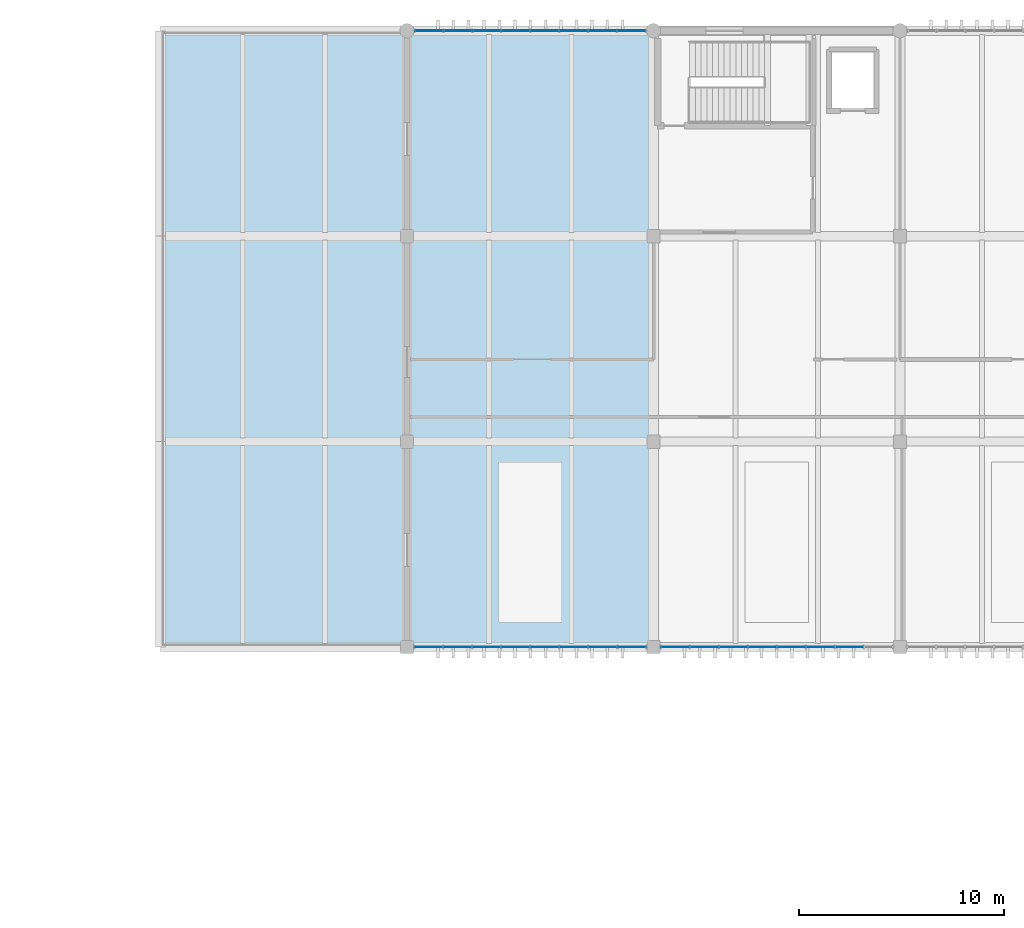
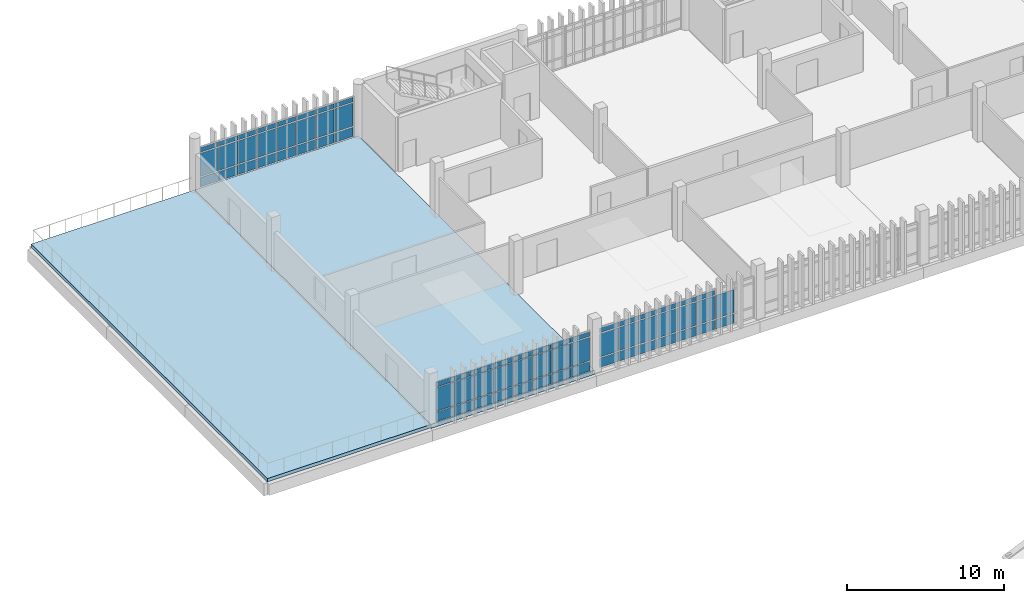
# One storey, part 67 of 82: 68 plates, 2 slabs, 3 elements without a shape of their own.
"""IFC4 building model written with IfcOpenShell, lengths in metres."""

from ifc_helpers import new_model, si_unit, direction, frame, origin, origin_2d, place, context, subcontext, project, spatial, polyline, rectangle, outline, extrude, material, layer, layer_set, type_object, element, aggregate, save


model = new_model("IFC4")

# Units and contexts
model_context = context("Model", 3, precision=1e-05, world=origin(), true_north=direction((0.0, 1.0)))
body_context = subcontext(model_context, "Body", "Model", "MODEL_VIEW")
ifc_project = project(units=[si_unit("LENGTHUNIT", "METRE"), si_unit("AREAUNIT", "SQUARE_METRE"), si_unit("VOLUMEUNIT", "CUBIC_METRE"), si_unit("PLANEANGLEUNIT", "RADIAN"), si_unit("MASSUNIT", "GRAM", prefix="KILO")], contexts=[model_context])

# Site, building, storey
site_placement = place(None, origin())
site = spatial("IfcSite", under=ifc_project, at=site_placement, CompositionType="ELEMENT")
building_placement = place(site_placement, origin())
building = spatial("IfcBuilding", under=site, at=building_placement, Name="Mersad Railyard Sports Hall", CompositionType="ELEMENT")
storey_placement = place(building_placement, frame((0.0, 0.0, 13.199951171875)))
storey = spatial("IfcBuildingStorey", under=building, at=storey_placement, Name="L03", CompositionType="ELEMENT", Elevation=13.199951171875)

# Curtain wall, plates
ifc_material_1 = material(Name="Aluminium 6063-T6", Category="aluminium")
ifc_layer_1 = layer(ifc_material_1, 0.159912109375)
ifc_layer_set_1 = layer_set([ifc_layer_1], Name="Aluminium 6063-T6")
curtain_wall_type_1 = type_object("IfcCurtainWallType", Name="ARC-CW-CW57", PredefinedType="USERDEFINED", material=ifc_layer_set_1)
curtain_wall_1_placement = place(storey_placement, origin())
curtain_wall_1 = element("IfcCurtainWall", 1, at=curtain_wall_1_placement, inside=storey, type_object=curtain_wall_type_1, Name="Curtain wall CW57-0151", ObjectType="CURTAIN WALL", PredefinedType="USERDEFINED")
ifc_material_2 = material(Name="Solar-control glass", Category="glass")
ifc_layer_2 = layer(ifc_material_2, 0.028076171875)
ifc_layer_set_2 = layer_set([ifc_layer_2], Name="Solar-control glass")
plate_type = type_object("IfcPlateType", Name="ARC-CW-PNL01", PredefinedType="CURTAIN_PANEL", material=ifc_layer_set_2)
plate_1_placement = place(storey_placement, frame((56.07373046875, 115.0, 0.0849609375), z_axis=(0.0, 0.0, 1.0), x_axis=(1.0, 0.0, 0.0)))
plate_1 = element("IfcPlate", 2, at=plate_1_placement, type_object=plate_type, Name="CW57 Glazed panel 1-1", PredefinedType="CURTAIN_PANEL", context=body_context, shape_type="SweptSolid", body=[
    extrude(rectangle(XDim=1.363525390625, YDim=0.028076171875, at=origin_2d()), origin(), (0.0, 0.0, 1.0), 0.719970703125),
])
plate_2_placement = place(storey_placement, frame((56.07373046875, 115.0, 0.89501953125), z_axis=(0.0, 0.0, 1.0), x_axis=(1.0, 0.0, 0.0)))
plate_2 = element("IfcPlate", 3, at=plate_2_placement, type_object=plate_type, Name="CW57 Glazed panel 1-2", PredefinedType="CURTAIN_PANEL", context=body_context, shape_type="SweptSolid", body=[
    extrude(rectangle(XDim=1.363525390625, YDim=0.028076171875, at=origin_2d()), origin(), (0.0, 0.0, 1.0), 1.7900390625),
])
plate_3_placement = place(storey_placement, frame((56.07373046875, 115.0, 2.77490234375), z_axis=(0.0, 0.0, 1.0), x_axis=(1.0, 0.0, 0.0)))
plate_3 = element("IfcPlate", 4, at=plate_3_placement, type_object=plate_type, Name="CW57 Glazed panel 1-3", PredefinedType="CURTAIN_PANEL", context=body_context, shape_type="SweptSolid", body=[
    extrude(rectangle(XDim=1.363525390625, YDim=0.028076171875, at=origin_2d()), origin(), (0.0, 0.0, 1.0), 0.35009765625),
])
plate_4_placement = place(storey_placement, frame((57.481201171875, 115.0, 0.0849609375), z_axis=(0.0, 0.0, 1.0), x_axis=(1.0, 0.0, 0.0)))
plate_4 = element("IfcPlate", 5, at=plate_4_placement, type_object=plate_type, Name="CW57 Glazed panel 2-1", PredefinedType="CURTAIN_PANEL", context=body_context, shape_type="SweptSolid", body=[
    extrude(rectangle(XDim=1.363525390625, YDim=0.028076171875, at=origin_2d()), origin(), (0.0, 0.0, 1.0), 0.719970703125),
])
plate_5_placement = place(storey_placement, frame((57.481201171875, 115.0, 0.89501953125), z_axis=(0.0, 0.0, 1.0), x_axis=(1.0, 0.0, 0.0)))
plate_5 = element("IfcPlate", 6, at=plate_5_placement, type_object=plate_type, Name="CW57 Glazed panel 2-2", PredefinedType="CURTAIN_PANEL", context=body_context, shape_type="SweptSolid", body=[
    extrude(rectangle(XDim=1.363525390625, YDim=0.028076171875, at=origin_2d()), origin(), (0.0, 0.0, 1.0), 1.7900390625),
])
plate_6_placement = place(storey_placement, frame((57.481201171875, 115.0, 2.77490234375), z_axis=(0.0, 0.0, 1.0), x_axis=(1.0, 0.0, 0.0)))
plate_6 = element("IfcPlate", 7, at=plate_6_placement, type_object=plate_type, Name="CW57 Glazed panel 2-3", PredefinedType="CURTAIN_PANEL", context=body_context, shape_type="SweptSolid", body=[
    extrude(rectangle(XDim=1.363525390625, YDim=0.028076171875, at=origin_2d()), origin(), (0.0, 0.0, 1.0), 0.35009765625),
])
plate_7_placement = place(storey_placement, frame((58.888671875, 115.0, 0.0849609375), z_axis=(0.0, 0.0, 1.0), x_axis=(1.0, 0.0, 0.0)))
plate_7 = element("IfcPlate", 8, at=plate_7_placement, type_object=plate_type, Name="CW57 Glazed panel 3-1", PredefinedType="CURTAIN_PANEL", context=body_context, shape_type="SweptSolid", body=[
    extrude(rectangle(XDim=1.363525390625, YDim=0.028076171875, at=origin_2d()), origin(), (0.0, 0.0, 1.0), 0.719970703125),
])
plate_8_placement = place(storey_placement, frame((58.888671875, 115.0, 0.89501953125), z_axis=(0.0, 0.0, 1.0), x_axis=(1.0, 0.0, 0.0)))
plate_8 = element("IfcPlate", 9, at=plate_8_placement, type_object=plate_type, Name="CW57 Glazed panel 3-2", PredefinedType="CURTAIN_PANEL", context=body_context, shape_type="SweptSolid", body=[
    extrude(rectangle(XDim=1.363525390625, YDim=0.028076171875, at=origin_2d()), origin(), (0.0, 0.0, 1.0), 1.7900390625),
])
plate_9_placement = place(storey_placement, frame((58.888671875, 115.0, 2.77490234375), z_axis=(0.0, 0.0, 1.0), x_axis=(1.0, 0.0, 0.0)))
plate_9 = element("IfcPlate", 10, at=plate_9_placement, type_object=plate_type, Name="CW57 Glazed panel 3-3", PredefinedType="CURTAIN_PANEL", context=body_context, shape_type="SweptSolid", body=[
    extrude(rectangle(XDim=1.363525390625, YDim=0.028076171875, at=origin_2d()), origin(), (0.0, 0.0, 1.0), 0.35009765625),
])
plate_10_placement = place(storey_placement, frame((60.296142578125, 115.0, 0.0849609375), z_axis=(0.0, 0.0, 1.0), x_axis=(1.0, 0.0, 0.0)))
plate_10 = element("IfcPlate", 11, at=plate_10_placement, type_object=plate_type, Name="CW57 Glazed panel 4-1", PredefinedType="CURTAIN_PANEL", context=body_context, shape_type="SweptSolid", body=[
    extrude(rectangle(XDim=1.363525390625, YDim=0.028076171875, at=origin_2d()), origin(), (0.0, 0.0, 1.0), 0.719970703125),
])
plate_11_placement = place(storey_placement, frame((60.296142578125, 115.0, 0.89501953125), z_axis=(0.0, 0.0, 1.0), x_axis=(1.0, 0.0, 0.0)))
plate_11 = element("IfcPlate", 12, at=plate_11_placement, type_object=plate_type, Name="CW57 Glazed panel 4-2", PredefinedType="CURTAIN_PANEL", context=body_context, shape_type="SweptSolid", body=[
    extrude(rectangle(XDim=1.363525390625, YDim=0.028076171875, at=origin_2d()), origin(), (0.0, 0.0, 1.0), 1.7900390625),
])
plate_12_placement = place(storey_placement, frame((60.296142578125, 115.0, 2.77490234375), z_axis=(0.0, 0.0, 1.0), x_axis=(1.0, 0.0, 0.0)))
plate_12 = element("IfcPlate", 13, at=plate_12_placement, type_object=plate_type, Name="CW57 Glazed panel 4-3", PredefinedType="CURTAIN_PANEL", context=body_context, shape_type="SweptSolid", body=[
    extrude(rectangle(XDim=1.363525390625, YDim=0.028076171875, at=origin_2d()), origin(), (0.0, 0.0, 1.0), 0.35009765625),
])
plate_13_placement = place(storey_placement, frame((61.703857421875, 115.0, 0.0849609375), z_axis=(0.0, 0.0, 1.0), x_axis=(1.0, 0.0, 0.0)))
plate_13 = element("IfcPlate", 14, at=plate_13_placement, type_object=plate_type, Name="CW57 Glazed panel 5-1", PredefinedType="CURTAIN_PANEL", context=body_context, shape_type="SweptSolid", body=[
    extrude(rectangle(XDim=1.363525390625, YDim=0.028076171875, at=origin_2d()), origin(), (0.0, 0.0, 1.0), 0.719970703125),
])
plate_14_placement = place(storey_placement, frame((61.703857421875, 115.0, 0.89501953125), z_axis=(0.0, 0.0, 1.0), x_axis=(1.0, 0.0, 0.0)))
plate_14 = element("IfcPlate", 15, at=plate_14_placement, type_object=plate_type, Name="CW57 Glazed panel 5-2", PredefinedType="CURTAIN_PANEL", context=body_context, shape_type="SweptSolid", body=[
    extrude(rectangle(XDim=1.363525390625, YDim=0.028076171875, at=origin_2d()), origin(), (0.0, 0.0, 1.0), 1.7900390625),
])
plate_15_placement = place(storey_placement, frame((61.703857421875, 115.0, 2.77490234375), z_axis=(0.0, 0.0, 1.0), x_axis=(1.0, 0.0, 0.0)))
plate_15 = element("IfcPlate", 16, at=plate_15_placement, type_object=plate_type, Name="CW57 Glazed panel 5-3", PredefinedType="CURTAIN_PANEL", context=body_context, shape_type="SweptSolid", body=[
    extrude(rectangle(XDim=1.363525390625, YDim=0.028076171875, at=origin_2d()), origin(), (0.0, 0.0, 1.0), 0.35009765625),
])
plate_16_placement = place(storey_placement, frame((63.111328125, 115.0, 0.0849609375), z_axis=(0.0, 0.0, 1.0), x_axis=(1.0, 0.0, 0.0)))
plate_16 = element("IfcPlate", 17, at=plate_16_placement, type_object=plate_type, Name="CW57 Glazed panel 6-1", PredefinedType="CURTAIN_PANEL", context=body_context, shape_type="SweptSolid", body=[
    extrude(rectangle(XDim=1.363525390625, YDim=0.028076171875, at=origin_2d()), origin(), (0.0, 0.0, 1.0), 0.719970703125),
])
plate_17_placement = place(storey_placement, frame((63.111328125, 115.0, 0.89501953125), z_axis=(0.0, 0.0, 1.0), x_axis=(1.0, 0.0, 0.0)))
plate_17 = element("IfcPlate", 18, at=plate_17_placement, type_object=plate_type, Name="CW57 Glazed panel 6-2", PredefinedType="CURTAIN_PANEL", context=body_context, shape_type="SweptSolid", body=[
    extrude(rectangle(XDim=1.363525390625, YDim=0.028076171875, at=origin_2d()), origin(), (0.0, 0.0, 1.0), 1.7900390625),
])
plate_18_placement = place(storey_placement, frame((63.111328125, 115.0, 2.77490234375), z_axis=(0.0, 0.0, 1.0), x_axis=(1.0, 0.0, 0.0)))
plate_18 = element("IfcPlate", 19, at=plate_18_placement, type_object=plate_type, Name="CW57 Glazed panel 6-3", PredefinedType="CURTAIN_PANEL", context=body_context, shape_type="SweptSolid", body=[
    extrude(rectangle(XDim=1.363525390625, YDim=0.028076171875, at=origin_2d()), origin(), (0.0, 0.0, 1.0), 0.35009765625),
])
plate_19_placement = place(storey_placement, frame((64.518798828125, 115.0, 0.0849609375), z_axis=(0.0, 0.0, 1.0), x_axis=(1.0, 0.0, 0.0)))
plate_19 = element("IfcPlate", 20, at=plate_19_placement, type_object=plate_type, Name="CW57 Glazed panel 7-1", PredefinedType="CURTAIN_PANEL", context=body_context, shape_type="SweptSolid", body=[
    extrude(rectangle(XDim=1.363525390625, YDim=0.028076171875, at=origin_2d()), origin(), (0.0, 0.0, 1.0), 0.719970703125),
])
plate_20_placement = place(storey_placement, frame((64.518798828125, 115.0, 0.89501953125), z_axis=(0.0, 0.0, 1.0), x_axis=(1.0, 0.0, 0.0)))
plate_20 = element("IfcPlate", 21, at=plate_20_placement, type_object=plate_type, Name="CW57 Glazed panel 7-2", PredefinedType="CURTAIN_PANEL", context=body_context, shape_type="SweptSolid", body=[
    extrude(rectangle(XDim=1.363525390625, YDim=0.028076171875, at=origin_2d()), origin(), (0.0, 0.0, 1.0), 1.7900390625),
])
plate_21_placement = place(storey_placement, frame((64.518798828125, 115.0, 2.77490234375), z_axis=(0.0, 0.0, 1.0), x_axis=(1.0, 0.0, 0.0)))
plate_21 = element("IfcPlate", 22, at=plate_21_placement, type_object=plate_type, Name="CW57 Glazed panel 7-3", PredefinedType="CURTAIN_PANEL", context=body_context, shape_type="SweptSolid", body=[
    extrude(rectangle(XDim=1.363525390625, YDim=0.028076171875, at=origin_2d()), origin(), (0.0, 0.0, 1.0), 0.35009765625),
])
plate_22_placement = place(storey_placement, frame((65.92626953125, 115.0, 0.0849609375), z_axis=(0.0, 0.0, 1.0), x_axis=(1.0, 0.0, 0.0)))
plate_22 = element("IfcPlate", 23, at=plate_22_placement, type_object=plate_type, Name="CW57 Glazed panel 8-1", PredefinedType="CURTAIN_PANEL", context=body_context, shape_type="SweptSolid", body=[
    extrude(rectangle(XDim=1.363525390625, YDim=0.028076171875, at=origin_2d()), origin(), (0.0, 0.0, 1.0), 0.719970703125),
])
plate_23_placement = place(storey_placement, frame((65.92626953125, 115.0, 0.89501953125), z_axis=(0.0, 0.0, 1.0), x_axis=(1.0, 0.0, 0.0)))
plate_23 = element("IfcPlate", 24, at=plate_23_placement, type_object=plate_type, Name="CW57 Glazed panel 8-2", PredefinedType="CURTAIN_PANEL", context=body_context, shape_type="SweptSolid", body=[
    extrude(rectangle(XDim=1.363525390625, YDim=0.028076171875, at=origin_2d()), origin(), (0.0, 0.0, 1.0), 1.7900390625),
])
plate_24_placement = place(storey_placement, frame((65.92626953125, 115.0, 2.77490234375), z_axis=(0.0, 0.0, 1.0), x_axis=(1.0, 0.0, 0.0)))
plate_24 = element("IfcPlate", 25, at=plate_24_placement, type_object=plate_type, Name="CW57 Glazed panel 8-3", PredefinedType="CURTAIN_PANEL", context=body_context, shape_type="SweptSolid", body=[
    extrude(rectangle(XDim=1.363525390625, YDim=0.028076171875, at=origin_2d()), origin(), (0.0, 0.0, 1.0), 0.35009765625),
])
aggregate(curtain_wall_1, [plate_1, plate_2, plate_3, plate_4, plate_5, plate_6, plate_7, plate_8, plate_9, plate_10, plate_11, plate_12, plate_13, plate_14, plate_15, plate_16, plate_17, plate_18, plate_19, plate_20, plate_21, plate_22, plate_23, plate_24])

ifc_layer_3 = layer(ifc_material_1, 0.159912109375)
ifc_layer_set_3 = layer_set([ifc_layer_3], Name="Aluminium 6063-T6")
curtain_wall_type_2 = type_object("IfcCurtainWallType", Name="ARC-CW-CW59", PredefinedType="USERDEFINED", material=ifc_layer_set_3)
curtain_wall_2_placement = place(storey_placement, origin())
curtain_wall_2 = element("IfcCurtainWall", 26, at=curtain_wall_2_placement, inside=storey, type_object=curtain_wall_type_2, Name="Curtain wall CW59-0155", ObjectType="CURTAIN WALL", PredefinedType="USERDEFINED")
plate_25_placement = place(storey_placement, frame((65.9482421875, 85.0, 0.0849609375), z_axis=(0.0, 0.0, 1.0), x_axis=(-1.0, 0.0, 0.0)))
plate_25 = element("IfcPlate", 27, at=plate_25_placement, type_object=plate_type, Name="CW59 Glazed panel 1-1", PredefinedType="CURTAIN_PANEL", context=body_context, shape_type="SweptSolid", body=[
    extrude(rectangle(XDim=1.36962890625, YDim=0.028076171875, at=origin_2d()), origin(), (0.0, 0.0, 1.0), 0.719970703125),
])
plate_26_placement = place(storey_placement, frame((65.9482421875, 85.0, 0.89501953125), z_axis=(0.0, 0.0, 1.0), x_axis=(-1.0, 0.0, 0.0)))
plate_26 = element("IfcPlate", 28, at=plate_26_placement, type_object=plate_type, Name="CW59 Glazed panel 1-2", PredefinedType="CURTAIN_PANEL", context=body_context, shape_type="SweptSolid", body=[
    extrude(rectangle(XDim=1.36962890625, YDim=0.028076171875, at=origin_2d()), origin(), (0.0, 0.0, 1.0), 1.7900390625),
])
plate_27_placement = place(storey_placement, frame((65.9482421875, 85.0, 2.77490234375), z_axis=(0.0, 0.0, 1.0), x_axis=(-1.0, 0.0, 0.0)))
plate_27 = element("IfcPlate", 29, at=plate_27_placement, type_object=plate_type, Name="CW59 Glazed panel 1-3", PredefinedType="CURTAIN_PANEL", context=body_context, shape_type="SweptSolid", body=[
    extrude(rectangle(XDim=1.36962890625, YDim=0.028076171875, at=origin_2d()), origin(), (0.0, 0.0, 1.0), 0.35009765625),
])
plate_28_placement = place(storey_placement, frame((64.534423828125, 85.0, 0.0849609375), z_axis=(0.0, 0.0, 1.0), x_axis=(-1.0, 0.0, 0.0)))
plate_28 = element("IfcPlate", 30, at=plate_28_placement, type_object=plate_type, Name="CW59 Glazed panel 2-1", PredefinedType="CURTAIN_PANEL", context=body_context, shape_type="SweptSolid", body=[
    extrude(rectangle(XDim=1.36962890625, YDim=0.028076171875, at=origin_2d()), origin(), (0.0, 0.0, 1.0), 0.719970703125),
])
plate_29_placement = place(storey_placement, frame((64.534423828125, 85.0, 0.89501953125), z_axis=(0.0, 0.0, 1.0), x_axis=(-1.0, 0.0, 0.0)))
plate_29 = element("IfcPlate", 31, at=plate_29_placement, type_object=plate_type, Name="CW59 Glazed panel 2-2", PredefinedType="CURTAIN_PANEL", context=body_context, shape_type="SweptSolid", body=[
    extrude(rectangle(XDim=1.36962890625, YDim=0.028076171875, at=origin_2d()), origin(), (0.0, 0.0, 1.0), 1.7900390625),
])
plate_30_placement = place(storey_placement, frame((64.534423828125, 85.0, 2.77490234375), z_axis=(0.0, 0.0, 1.0), x_axis=(-1.0, 0.0, 0.0)))
plate_30 = element("IfcPlate", 32, at=plate_30_placement, type_object=plate_type, Name="CW59 Glazed panel 2-3", PredefinedType="CURTAIN_PANEL", context=body_context, shape_type="SweptSolid", body=[
    extrude(rectangle(XDim=1.36962890625, YDim=0.028076171875, at=origin_2d()), origin(), (0.0, 0.0, 1.0), 0.35009765625),
])
plate_31_placement = place(storey_placement, frame((63.12060546875, 85.0, 0.0849609375), z_axis=(0.0, 0.0, 1.0), x_axis=(-1.0, 0.0, 0.0)))
plate_31 = element("IfcPlate", 33, at=plate_31_placement, type_object=plate_type, Name="CW59 Glazed panel 3-1", PredefinedType="CURTAIN_PANEL", context=body_context, shape_type="SweptSolid", body=[
    extrude(rectangle(XDim=1.36962890625, YDim=0.028076171875, at=origin_2d()), origin(), (0.0, 0.0, 1.0), 0.719970703125),
])
plate_32_placement = place(storey_placement, frame((63.12060546875, 85.0, 0.89501953125), z_axis=(0.0, 0.0, 1.0), x_axis=(-1.0, 0.0, 0.0)))
plate_32 = element("IfcPlate", 34, at=plate_32_placement, type_object=plate_type, Name="CW59 Glazed panel 3-2", PredefinedType="CURTAIN_PANEL", context=body_context, shape_type="SweptSolid", body=[
    extrude(rectangle(XDim=1.36962890625, YDim=0.028076171875, at=origin_2d()), origin(), (0.0, 0.0, 1.0), 1.7900390625),
])
plate_33_placement = place(storey_placement, frame((63.12060546875, 85.0, 2.77490234375), z_axis=(0.0, 0.0, 1.0), x_axis=(-1.0, 0.0, 0.0)))
plate_33 = element("IfcPlate", 35, at=plate_33_placement, type_object=plate_type, Name="CW59 Glazed panel 3-3", PredefinedType="CURTAIN_PANEL", context=body_context, shape_type="SweptSolid", body=[
    extrude(rectangle(XDim=1.36962890625, YDim=0.028076171875, at=origin_2d()), origin(), (0.0, 0.0, 1.0), 0.35009765625),
])
plate_34_placement = place(storey_placement, frame((61.706787109375, 85.0, 0.0849609375), z_axis=(0.0, 0.0, 1.0), x_axis=(-1.0, 0.0, 0.0)))
plate_34 = element("IfcPlate", 36, at=plate_34_placement, type_object=plate_type, Name="CW59 Glazed panel 4-1", PredefinedType="CURTAIN_PANEL", context=body_context, shape_type="SweptSolid", body=[
    extrude(rectangle(XDim=1.36962890625, YDim=0.028076171875, at=origin_2d()), origin(), (0.0, 0.0, 1.0), 0.719970703125),
])
plate_35_placement = place(storey_placement, frame((61.706787109375, 85.0, 0.89501953125), z_axis=(0.0, 0.0, 1.0), x_axis=(-1.0, 0.0, 0.0)))
plate_35 = element("IfcPlate", 37, at=plate_35_placement, type_object=plate_type, Name="CW59 Glazed panel 4-2", PredefinedType="CURTAIN_PANEL", context=body_context, shape_type="SweptSolid", body=[
    extrude(rectangle(XDim=1.36962890625, YDim=0.028076171875, at=origin_2d()), origin(), (0.0, 0.0, 1.0), 1.7900390625),
])
plate_36_placement = place(storey_placement, frame((61.706787109375, 85.0, 2.77490234375), z_axis=(0.0, 0.0, 1.0), x_axis=(-1.0, 0.0, 0.0)))
plate_36 = element("IfcPlate", 38, at=plate_36_placement, type_object=plate_type, Name="CW59 Glazed panel 4-3", PredefinedType="CURTAIN_PANEL", context=body_context, shape_type="SweptSolid", body=[
    extrude(rectangle(XDim=1.36962890625, YDim=0.028076171875, at=origin_2d()), origin(), (0.0, 0.0, 1.0), 0.35009765625),
])
plate_37_placement = place(storey_placement, frame((60.293212890625, 85.0, 0.0849609375), z_axis=(0.0, 0.0, 1.0), x_axis=(-1.0, 0.0, 0.0)))
plate_37 = element("IfcPlate", 39, at=plate_37_placement, type_object=plate_type, Name="CW59 Glazed panel 5-1", PredefinedType="CURTAIN_PANEL", context=body_context, shape_type="SweptSolid", body=[
    extrude(rectangle(XDim=1.36962890625, YDim=0.028076171875, at=origin_2d()), origin(), (0.0, 0.0, 1.0), 0.719970703125),
])
plate_38_placement = place(storey_placement, frame((60.293212890625, 85.0, 0.89501953125), z_axis=(0.0, 0.0, 1.0), x_axis=(-1.0, 0.0, 0.0)))
plate_38 = element("IfcPlate", 40, at=plate_38_placement, type_object=plate_type, Name="CW59 Glazed panel 5-2", PredefinedType="CURTAIN_PANEL", context=body_context, shape_type="SweptSolid", body=[
    extrude(rectangle(XDim=1.36962890625, YDim=0.028076171875, at=origin_2d()), origin(), (0.0, 0.0, 1.0), 1.7900390625),
])
plate_39_placement = place(storey_placement, frame((60.293212890625, 85.0, 2.77490234375), z_axis=(0.0, 0.0, 1.0), x_axis=(-1.0, 0.0, 0.0)))
plate_39 = element("IfcPlate", 41, at=plate_39_placement, type_object=plate_type, Name="CW59 Glazed panel 5-3", PredefinedType="CURTAIN_PANEL", context=body_context, shape_type="SweptSolid", body=[
    extrude(rectangle(XDim=1.36962890625, YDim=0.028076171875, at=origin_2d()), origin(), (0.0, 0.0, 1.0), 0.35009765625),
])
plate_40_placement = place(storey_placement, frame((58.87939453125, 85.0, 0.0849609375), z_axis=(0.0, 0.0, 1.0), x_axis=(-1.0, 0.0, 0.0)))
plate_40 = element("IfcPlate", 42, at=plate_40_placement, type_object=plate_type, Name="CW59 Glazed panel 6-1", PredefinedType="CURTAIN_PANEL", context=body_context, shape_type="SweptSolid", body=[
    extrude(rectangle(XDim=1.36962890625, YDim=0.028076171875, at=origin_2d()), origin(), (0.0, 0.0, 1.0), 0.719970703125),
])
plate_41_placement = place(storey_placement, frame((58.87939453125, 85.0, 0.89501953125), z_axis=(0.0, 0.0, 1.0), x_axis=(-1.0, 0.0, 0.0)))
plate_41 = element("IfcPlate", 43, at=plate_41_placement, type_object=plate_type, Name="CW59 Glazed panel 6-2", PredefinedType="CURTAIN_PANEL", context=body_context, shape_type="SweptSolid", body=[
    extrude(rectangle(XDim=1.36962890625, YDim=0.028076171875, at=origin_2d()), origin(), (0.0, 0.0, 1.0), 1.7900390625),
])
plate_42_placement = place(storey_placement, frame((58.87939453125, 85.0, 2.77490234375), z_axis=(0.0, 0.0, 1.0), x_axis=(-1.0, 0.0, 0.0)))
plate_42 = element("IfcPlate", 44, at=plate_42_placement, type_object=plate_type, Name="CW59 Glazed panel 6-3", PredefinedType="CURTAIN_PANEL", context=body_context, shape_type="SweptSolid", body=[
    extrude(rectangle(XDim=1.36962890625, YDim=0.028076171875, at=origin_2d()), origin(), (0.0, 0.0, 1.0), 0.35009765625),
])
plate_43_placement = place(storey_placement, frame((57.465576171875, 85.0, 0.0849609375), z_axis=(0.0, 0.0, 1.0), x_axis=(-1.0, 0.0, 0.0)))
plate_43 = element("IfcPlate", 45, at=plate_43_placement, type_object=plate_type, Name="CW59 Glazed panel 7-1", PredefinedType="CURTAIN_PANEL", context=body_context, shape_type="SweptSolid", body=[
    extrude(rectangle(XDim=1.36962890625, YDim=0.028076171875, at=origin_2d()), origin(), (0.0, 0.0, 1.0), 0.719970703125),
])
plate_44_placement = place(storey_placement, frame((57.465576171875, 85.0, 0.89501953125), z_axis=(0.0, 0.0, 1.0), x_axis=(-1.0, 0.0, 0.0)))
plate_44 = element("IfcPlate", 46, at=plate_44_placement, type_object=plate_type, Name="CW59 Glazed panel 7-2", PredefinedType="CURTAIN_PANEL", context=body_context, shape_type="SweptSolid", body=[
    extrude(rectangle(XDim=1.36962890625, YDim=0.028076171875, at=origin_2d()), origin(), (0.0, 0.0, 1.0), 1.7900390625),
])
plate_45_placement = place(storey_placement, frame((57.465576171875, 85.0, 2.77490234375), z_axis=(0.0, 0.0, 1.0), x_axis=(-1.0, 0.0, 0.0)))
plate_45 = element("IfcPlate", 47, at=plate_45_placement, type_object=plate_type, Name="CW59 Glazed panel 7-3", PredefinedType="CURTAIN_PANEL", context=body_context, shape_type="SweptSolid", body=[
    extrude(rectangle(XDim=1.36962890625, YDim=0.028076171875, at=origin_2d()), origin(), (0.0, 0.0, 1.0), 0.35009765625),
])
plate_46_placement = place(storey_placement, frame((56.0517578125, 85.0, 0.0849609375), z_axis=(0.0, 0.0, 1.0), x_axis=(-1.0, 0.0, 0.0)))
plate_46 = element("IfcPlate", 48, at=plate_46_placement, type_object=plate_type, Name="CW59 Glazed panel 8-1", PredefinedType="CURTAIN_PANEL", context=body_context, shape_type="SweptSolid", body=[
    extrude(rectangle(XDim=1.36962890625, YDim=0.028076171875, at=origin_2d()), origin(), (0.0, 0.0, 1.0), 0.719970703125),
])
plate_47_placement = place(storey_placement, frame((56.0517578125, 85.0, 0.89501953125), z_axis=(0.0, 0.0, 1.0), x_axis=(-1.0, 0.0, 0.0)))
plate_47 = element("IfcPlate", 49, at=plate_47_placement, type_object=plate_type, Name="CW59 Glazed panel 8-2", PredefinedType="CURTAIN_PANEL", context=body_context, shape_type="SweptSolid", body=[
    extrude(rectangle(XDim=1.36962890625, YDim=0.028076171875, at=origin_2d()), origin(), (0.0, 0.0, 1.0), 1.7900390625),
])
plate_48_placement = place(storey_placement, frame((56.0517578125, 85.0, 2.77490234375), z_axis=(0.0, 0.0, 1.0), x_axis=(-1.0, 0.0, 0.0)))
plate_48 = element("IfcPlate", 50, at=plate_48_placement, type_object=plate_type, Name="CW59 Glazed panel 8-3", PredefinedType="CURTAIN_PANEL", context=body_context, shape_type="SweptSolid", body=[
    extrude(rectangle(XDim=1.36962890625, YDim=0.028076171875, at=origin_2d()), origin(), (0.0, 0.0, 1.0), 0.35009765625),
])
aggregate(curtain_wall_2, [plate_25, plate_26, plate_27, plate_28, plate_29, plate_30, plate_31, plate_32, plate_33, plate_34, plate_35, plate_36, plate_37, plate_38, plate_39, plate_40, plate_41, plate_42, plate_43, plate_44, plate_45, plate_46, plate_47, plate_48])

curtain_wall_3_placement = place(storey_placement, origin())
curtain_wall_3 = element("IfcCurtainWall", 51, at=curtain_wall_3_placement, inside=storey, type_object=curtain_wall_type_2, Name="Curtain wall CW59-0156", ObjectType="CURTAIN WALL", PredefinedType="USERDEFINED")
plate_49_placement = place(storey_placement, frame((76.534423828125, 85.0, 0.0849609375), z_axis=(0.0, 0.0, 1.0), x_axis=(-1.0, 0.0, 0.0)))
plate_49 = element("IfcPlate", 52, at=plate_49_placement, type_object=plate_type, Name="CW59 Glazed panel 2-1", PredefinedType="CURTAIN_PANEL", context=body_context, shape_type="SweptSolid", body=[
    extrude(rectangle(XDim=1.36962890625, YDim=0.028076171875, at=origin_2d()), origin(), (0.0, 0.0, 1.0), 0.719970703125),
])
plate_50_placement = place(storey_placement, frame((76.534423828125, 85.0, 0.89501953125), z_axis=(0.0, 0.0, 1.0), x_axis=(-1.0, 0.0, 0.0)))
plate_50 = element("IfcPlate", 53, at=plate_50_placement, type_object=plate_type, Name="CW59 Glazed panel 2-2", PredefinedType="CURTAIN_PANEL", context=body_context, shape_type="SweptSolid", body=[
    extrude(rectangle(XDim=1.36962890625, YDim=0.028076171875, at=origin_2d()), origin(), (0.0, 0.0, 1.0), 1.7900390625),
])
plate_51_placement = place(storey_placement, frame((75.12060546875, 85.0, 0.0849609375), z_axis=(0.0, 0.0, 1.0), x_axis=(-1.0, 0.0, 0.0)))
plate_51 = element("IfcPlate", 54, at=plate_51_placement, type_object=plate_type, Name="CW59 Glazed panel 3-1", PredefinedType="CURTAIN_PANEL", context=body_context, shape_type="SweptSolid", body=[
    extrude(rectangle(XDim=1.36962890625, YDim=0.028076171875, at=origin_2d()), origin(), (0.0, 0.0, 1.0), 0.719970703125),
])
plate_52_placement = place(storey_placement, frame((75.12060546875, 85.0, 0.89501953125), z_axis=(0.0, 0.0, 1.0), x_axis=(-1.0, 0.0, 0.0)))
plate_52 = element("IfcPlate", 55, at=plate_52_placement, type_object=plate_type, Name="CW59 Glazed panel 3-2", PredefinedType="CURTAIN_PANEL", context=body_context, shape_type="SweptSolid", body=[
    extrude(rectangle(XDim=1.36962890625, YDim=0.028076171875, at=origin_2d()), origin(), (0.0, 0.0, 1.0), 1.7900390625),
])
plate_53_placement = place(storey_placement, frame((75.12060546875, 85.0, 2.77490234375), z_axis=(0.0, 0.0, 1.0), x_axis=(-1.0, 0.0, 0.0)))
plate_53 = element("IfcPlate", 56, at=plate_53_placement, type_object=plate_type, Name="CW59 Glazed panel 3-3", PredefinedType="CURTAIN_PANEL", context=body_context, shape_type="SweptSolid", body=[
    extrude(rectangle(XDim=1.36962890625, YDim=0.028076171875, at=origin_2d()), origin(), (0.0, 0.0, 1.0), 0.35009765625),
])
plate_54_placement = place(storey_placement, frame((73.706787109375, 85.0, 0.0849609375), z_axis=(0.0, 0.0, 1.0), x_axis=(-1.0, 0.0, 0.0)))
plate_54 = element("IfcPlate", 57, at=plate_54_placement, type_object=plate_type, Name="CW59 Glazed panel 4-1", PredefinedType="CURTAIN_PANEL", context=body_context, shape_type="SweptSolid", body=[
    extrude(rectangle(XDim=1.36962890625, YDim=0.028076171875, at=origin_2d()), origin(), (0.0, 0.0, 1.0), 0.719970703125),
])
plate_55_placement = place(storey_placement, frame((73.706787109375, 85.0, 0.89501953125), z_axis=(0.0, 0.0, 1.0), x_axis=(-1.0, 0.0, 0.0)))
plate_55 = element("IfcPlate", 58, at=plate_55_placement, type_object=plate_type, Name="CW59 Glazed panel 4-2", PredefinedType="CURTAIN_PANEL", context=body_context, shape_type="SweptSolid", body=[
    extrude(rectangle(XDim=1.36962890625, YDim=0.028076171875, at=origin_2d()), origin(), (0.0, 0.0, 1.0), 1.7900390625),
])
plate_56_placement = place(storey_placement, frame((73.706787109375, 85.0, 2.77490234375), z_axis=(0.0, 0.0, 1.0), x_axis=(-1.0, 0.0, 0.0)))
plate_56 = element("IfcPlate", 59, at=plate_56_placement, type_object=plate_type, Name="CW59 Glazed panel 4-3", PredefinedType="CURTAIN_PANEL", context=body_context, shape_type="SweptSolid", body=[
    extrude(rectangle(XDim=1.36962890625, YDim=0.028076171875, at=origin_2d()), origin(), (0.0, 0.0, 1.0), 0.35009765625),
])
plate_57_placement = place(storey_placement, frame((72.293212890625, 85.0, 0.0849609375), z_axis=(0.0, 0.0, 1.0), x_axis=(-1.0, 0.0, 0.0)))
plate_57 = element("IfcPlate", 60, at=plate_57_placement, type_object=plate_type, Name="CW59 Glazed panel 5-1", PredefinedType="CURTAIN_PANEL", context=body_context, shape_type="SweptSolid", body=[
    extrude(rectangle(XDim=1.36962890625, YDim=0.028076171875, at=origin_2d()), origin(), (0.0, 0.0, 1.0), 0.719970703125),
])
plate_58_placement = place(storey_placement, frame((72.293212890625, 85.0, 0.89501953125), z_axis=(0.0, 0.0, 1.0), x_axis=(-1.0, 0.0, 0.0)))
plate_58 = element("IfcPlate", 61, at=plate_58_placement, type_object=plate_type, Name="CW59 Glazed panel 5-2", PredefinedType="CURTAIN_PANEL", context=body_context, shape_type="SweptSolid", body=[
    extrude(rectangle(XDim=1.36962890625, YDim=0.028076171875, at=origin_2d()), origin(), (0.0, 0.0, 1.0), 1.7900390625),
])
plate_59_placement = place(storey_placement, frame((72.293212890625, 85.0, 2.77490234375), z_axis=(0.0, 0.0, 1.0), x_axis=(-1.0, 0.0, 0.0)))
plate_59 = element("IfcPlate", 62, at=plate_59_placement, type_object=plate_type, Name="CW59 Glazed panel 5-3", PredefinedType="CURTAIN_PANEL", context=body_context, shape_type="SweptSolid", body=[
    extrude(rectangle(XDim=1.36962890625, YDim=0.028076171875, at=origin_2d()), origin(), (0.0, 0.0, 1.0), 0.35009765625),
])
plate_60_placement = place(storey_placement, frame((70.87939453125, 85.0, 0.0849609375), z_axis=(0.0, 0.0, 1.0), x_axis=(-1.0, 0.0, 0.0)))
plate_60 = element("IfcPlate", 63, at=plate_60_placement, type_object=plate_type, Name="CW59 Glazed panel 6-1", PredefinedType="CURTAIN_PANEL", context=body_context, shape_type="SweptSolid", body=[
    extrude(rectangle(XDim=1.36962890625, YDim=0.028076171875, at=origin_2d()), origin(), (0.0, 0.0, 1.0), 0.719970703125),
])
plate_61_placement = place(storey_placement, frame((70.87939453125, 85.0, 0.89501953125), z_axis=(0.0, 0.0, 1.0), x_axis=(-1.0, 0.0, 0.0)))
plate_61 = element("IfcPlate", 64, at=plate_61_placement, type_object=plate_type, Name="CW59 Glazed panel 6-2", PredefinedType="CURTAIN_PANEL", context=body_context, shape_type="SweptSolid", body=[
    extrude(rectangle(XDim=1.36962890625, YDim=0.028076171875, at=origin_2d()), origin(), (0.0, 0.0, 1.0), 1.7900390625),
])
plate_62_placement = place(storey_placement, frame((70.87939453125, 85.0, 2.77490234375), z_axis=(0.0, 0.0, 1.0), x_axis=(-1.0, 0.0, 0.0)))
plate_62 = element("IfcPlate", 65, at=plate_62_placement, type_object=plate_type, Name="CW59 Glazed panel 6-3", PredefinedType="CURTAIN_PANEL", context=body_context, shape_type="SweptSolid", body=[
    extrude(rectangle(XDim=1.36962890625, YDim=0.028076171875, at=origin_2d()), origin(), (0.0, 0.0, 1.0), 0.35009765625),
])
plate_63_placement = place(storey_placement, frame((69.465576171875, 85.0, 0.0849609375), z_axis=(0.0, 0.0, 1.0), x_axis=(-1.0, 0.0, 0.0)))
plate_63 = element("IfcPlate", 66, at=plate_63_placement, type_object=plate_type, Name="CW59 Glazed panel 7-1", PredefinedType="CURTAIN_PANEL", context=body_context, shape_type="SweptSolid", body=[
    extrude(rectangle(XDim=1.36962890625, YDim=0.028076171875, at=origin_2d()), origin(), (0.0, 0.0, 1.0), 0.719970703125),
])
plate_64_placement = place(storey_placement, frame((69.465576171875, 85.0, 0.89501953125), z_axis=(0.0, 0.0, 1.0), x_axis=(-1.0, 0.0, 0.0)))
plate_64 = element("IfcPlate", 67, at=plate_64_placement, type_object=plate_type, Name="CW59 Glazed panel 7-2", PredefinedType="CURTAIN_PANEL", context=body_context, shape_type="SweptSolid", body=[
    extrude(rectangle(XDim=1.36962890625, YDim=0.028076171875, at=origin_2d()), origin(), (0.0, 0.0, 1.0), 1.7900390625),
])
plate_65_placement = place(storey_placement, frame((69.465576171875, 85.0, 2.77490234375), z_axis=(0.0, 0.0, 1.0), x_axis=(-1.0, 0.0, 0.0)))
plate_65 = element("IfcPlate", 68, at=plate_65_placement, type_object=plate_type, Name="CW59 Glazed panel 7-3", PredefinedType="CURTAIN_PANEL", context=body_context, shape_type="SweptSolid", body=[
    extrude(rectangle(XDim=1.36962890625, YDim=0.028076171875, at=origin_2d()), origin(), (0.0, 0.0, 1.0), 0.35009765625),
])
plate_66_placement = place(storey_placement, frame((68.0517578125, 85.0, 0.0849609375), z_axis=(0.0, 0.0, 1.0), x_axis=(-1.0, 0.0, 0.0)))
plate_66 = element("IfcPlate", 69, at=plate_66_placement, type_object=plate_type, Name="CW59 Glazed panel 8-1", PredefinedType="CURTAIN_PANEL", context=body_context, shape_type="SweptSolid", body=[
    extrude(rectangle(XDim=1.36962890625, YDim=0.028076171875, at=origin_2d()), origin(), (0.0, 0.0, 1.0), 0.719970703125),
])
plate_67_placement = place(storey_placement, frame((68.0517578125, 85.0, 0.89501953125), z_axis=(0.0, 0.0, 1.0), x_axis=(-1.0, 0.0, 0.0)))
plate_67 = element("IfcPlate", 70, at=plate_67_placement, type_object=plate_type, Name="CW59 Glazed panel 8-2", PredefinedType="CURTAIN_PANEL", context=body_context, shape_type="SweptSolid", body=[
    extrude(rectangle(XDim=1.36962890625, YDim=0.028076171875, at=origin_2d()), origin(), (0.0, 0.0, 1.0), 1.7900390625),
])
plate_68_placement = place(storey_placement, frame((68.0517578125, 85.0, 2.77490234375), z_axis=(0.0, 0.0, 1.0), x_axis=(-1.0, 0.0, 0.0)))
plate_68 = element("IfcPlate", 71, at=plate_68_placement, type_object=plate_type, Name="CW59 Glazed panel 8-3", PredefinedType="CURTAIN_PANEL", context=body_context, shape_type="SweptSolid", body=[
    extrude(rectangle(XDim=1.36962890625, YDim=0.028076171875, at=origin_2d()), origin(), (0.0, 0.0, 1.0), 0.35009765625),
])
aggregate(curtain_wall_3, [plate_49, plate_50, plate_51, plate_52, plate_53, plate_54, plate_55, plate_56, plate_57, plate_58, plate_59, plate_60, plate_61, plate_62, plate_63, plate_64, plate_65, plate_66, plate_67, plate_68])

# Slabs
ifc_material_3 = material(Name="Concrete C40/50", Category="concrete")
ifc_layer_4 = layer(ifc_material_3, 0.320068359375)
ifc_layer_set_4 = layer_set([ifc_layer_4], Name="Concrete C40/50")
slab_type_1 = type_object("IfcSlabType", Name="STR-SL-FL04", PredefinedType="FLOOR", material=ifc_layer_set_4)
slab_1_placement = place(storey_placement, frame((0.0, 0.0, -0.320068359375)))
element("IfcSlab", 72, at=slab_1_placement, inside=storey, type_object=slab_type_1, Name="Slab SL04-0113", PredefinedType="FLOOR", context=body_context, shape_type="SweptSolid", body=[
    extrude(outline(polyline([(55.0, 85.0), (67.0, 85.0), (67.0, 115.0), (55.0, 115.0), (55.0, 85.0)])), origin(), (0.0, 0.0, 1.0), 0.320068359375),
])
ifc_layer_5 = layer(ifc_material_3, 0.260009765625)
ifc_layer_set_5 = layer_set([ifc_layer_5], Name="Concrete C40/50")
slab_type_2 = type_object("IfcSlabType", Name="STR-SL-TR02", PredefinedType="FLOOR", material=ifc_layer_set_5)
slab_2_placement = place(storey_placement, frame((0.0, 0.0, -0.260009765625)))
element("IfcSlab", 73, at=slab_2_placement, inside=storey, type_object=slab_type_2, Name="Slab TR02-0120", PredefinedType="FLOOR", context=body_context, shape_type="SweptSolid", body=[
    extrude(outline(polyline([(43.0, 85.0), (55.0, 85.0), (55.0, 115.0), (43.0, 115.0), (43.0, 85.0)])), origin(), (0.0, 0.0, 1.0), 0.260009765625),
])

save(model, "model.ifc")
